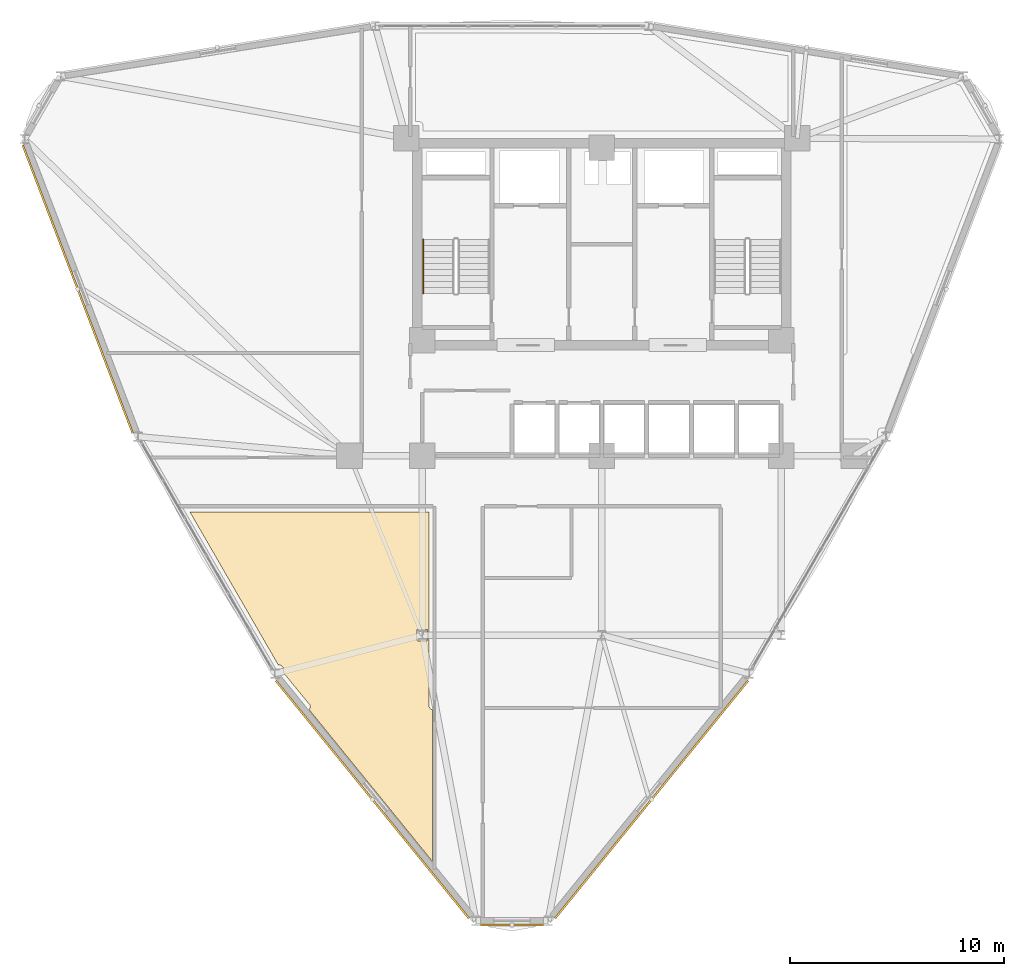
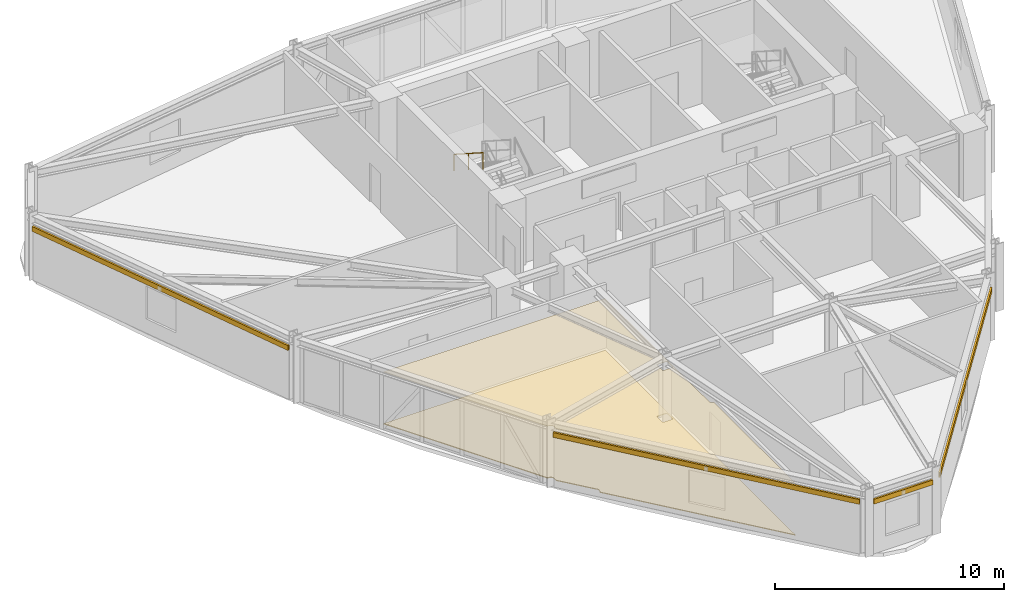
# One storey, part 13 of 15: 4 shading devices, 2 coverings, 1 railing.
"""IFC4 building model written with IfcOpenShell, lengths in metres."""

from ifc_helpers import new_model, si_unit, derived_unit, direction, frame, origin, origin_2d, place, context, subcontext, project, spatial, polyline, hollow_rectangle, circle, outline, extrude, source, transform, mapped, material, layer, layer_set, material_profile, profile_set, type_object, element, save


model = new_model("IFC4")

# Units and contexts
model_context = context("Model", 3, precision=1e-05, world=origin(), true_north=direction((0.0, 1.0)))
body_context = subcontext(model_context, "Body", "Model", "MODEL_VIEW")
ifc_project = project(units=[si_unit("LENGTHUNIT", "METRE"), si_unit("AREAUNIT", "SQUARE_METRE"), si_unit("VOLUMEUNIT", "CUBIC_METRE"), si_unit("PLANEANGLEUNIT", "RADIAN"), si_unit("MASSUNIT", "GRAM", prefix="KILO"), derived_unit("THERMALTRANSMITTANCEUNIT", [(si_unit("POWERUNIT", "WATT"), 1), (si_unit("LENGTHUNIT", "METRE"), -2), (si_unit("THERMODYNAMICTEMPERATUREUNIT", "KELVIN"), -1)])], contexts=[model_context])

# Site, building, storey
site_placement = place(None, origin())
site = spatial("IfcSite", under=ifc_project, at=site_placement, CompositionType="ELEMENT")
building_placement = place(site_placement, origin())
building = spatial("IfcBuilding", under=site, at=building_placement, Name="Korsvarv Bourse and Concert Hall", CompositionType="ELEMENT")
storey_placement = place(building_placement, frame((0.0, 0.0, 161.39990234375)))
storey = spatial("IfcBuildingStorey", under=building, at=storey_placement, Name="L41", CompositionType="ELEMENT", Elevation=161.39990234375)

# Coverings
ifc_material_1 = material(Name="Perforated mineral-wool and birch acoustic baffle ceiling", Category="wood")
ifc_layer_1 = layer(ifc_material_1, 0.02490234375)
ifc_layer_set_1 = layer_set([ifc_layer_1], Name="Perforated mineral-wool and birch acoustic baffle ceiling")
covering_type_1 = type_object("IfcCoveringType", Name="COV-CEIL-1", PredefinedType="CEILING", material=ifc_layer_set_1)
covering_1_placement = place(storey_placement, frame((0.0, 0.0, 2.780029296875)))
element("IfcCovering", 1, at=covering_1_placement, inside=storey, type_object=covering_type_1, Name="L41 acoustic baffle ceiling 1", PredefinedType="CEILING", context=body_context, shape_type="SweptSolid", body=[
    extrude(outline(polyline([(21.100830078125, 22.254150390625), (21.100830078125, 22.419921875), (21.09716796875, 22.455810546875), (21.08642578125, 22.490234375), (21.069091796875, 22.52197265625), (21.045654296875, 22.549560546875), (21.01708984375, 22.572021484375), (20.98486328125, 22.588134765625), (20.94970703125, 22.597412109375), (20.86572265625, 22.603515625), (16.728271484375, 29.77001953125), (27.919921875, 29.77001953125), (27.919921875, 20.68994140625), (27.923583984375, 20.65380859375), (27.9345703125, 20.618896484375), (27.952392578125, 20.587158203125), (27.97607421875, 20.5595703125), (28.0048828125, 20.537353515625), (28.03759765625, 20.521240234375), (28.07275390625, 20.51220703125), (28.080078125, 13.411865234375), (22.29833984375, 20.526611328125), (22.314208984375, 20.541748046875), (22.3349609375, 20.569580078125), (22.35009765625, 20.601318359375), (22.35888671875, 20.635009765625), (22.361083984375, 20.669921875), (22.3564453125, 20.70458984375), (22.344970703125, 20.737548828125), (22.327392578125, 20.767822265625), (22.304443359375, 20.794189453125), (22.27685546875, 20.815673828125), (21.100830078125, 22.254150390625)]), holes=[polyline([(27.38427734375, 23.7333984375), (27.805908203125, 23.732421875), (27.82958984375, 23.73828125), (27.84765625, 23.754638671875), (27.855712890625, 23.777587890625), (27.85595703125, 24.217529296875), (27.85009765625, 24.2412109375), (27.833740234375, 24.259033203125), (27.810791015625, 24.267333984375), (27.39404296875, 24.267578125), (27.370361328125, 24.26171875), (27.352294921875, 24.245361328125), (27.34423828125, 24.222412109375), (27.343994140625, 23.782470703125), (27.349853515625, 23.7587890625), (27.38427734375, 23.7333984375)])]), origin(), (0.0, 0.0, 1.0), 0.025146484375),
])
ifc_material_2 = material(Name="Calcium-sulphate raised access trading floor with Nordic oak top", Category="wood")
ifc_layer_2 = layer(ifc_material_2, 0.0400390625)
ifc_layer_set_2 = layer_set([ifc_layer_2], Name="Calcium-sulphate raised access trading floor with Nordic oak top")
covering_type_2 = type_object("IfcCoveringType", Name="COV-FLOR-1", PredefinedType="FLOORING", material=ifc_layer_set_2)
covering_2_placement = place(storey_placement, origin())
element("IfcCovering", 2, at=covering_2_placement, inside=storey, type_object=covering_type_2, Name="L41 raised access oak floor finish 1", PredefinedType="FLOORING", context=body_context, shape_type="SweptSolid", body=[
    extrude(outline(polyline([(21.100830078125, 22.254150390625), (21.100830078125, 22.419921875), (21.09716796875, 22.455810546875), (21.08642578125, 22.490234375), (21.069091796875, 22.52197265625), (21.045654296875, 22.549560546875), (21.01708984375, 22.572021484375), (20.98486328125, 22.588134765625), (20.94970703125, 22.597412109375), (20.86572265625, 22.603515625), (16.728271484375, 29.77001953125), (27.919921875, 29.77001953125), (27.919921875, 20.68994140625), (27.923583984375, 20.65380859375), (27.9345703125, 20.618896484375), (27.952392578125, 20.587158203125), (27.97607421875, 20.5595703125), (28.0048828125, 20.537353515625), (28.03759765625, 20.521240234375), (28.07275390625, 20.51220703125), (28.080078125, 13.411865234375), (22.29833984375, 20.526611328125), (22.314208984375, 20.541748046875), (22.3349609375, 20.569580078125), (22.35009765625, 20.601318359375), (22.35888671875, 20.635009765625), (22.361083984375, 20.669921875), (22.3564453125, 20.70458984375), (22.344970703125, 20.737548828125), (22.327392578125, 20.767822265625), (22.304443359375, 20.794189453125), (22.27685546875, 20.815673828125), (21.100830078125, 22.254150390625)]), holes=[polyline([(27.38427734375, 23.7333984375), (27.805908203125, 23.732421875), (27.82958984375, 23.73828125), (27.84765625, 23.754638671875), (27.855712890625, 23.777587890625), (27.85595703125, 24.217529296875), (27.85009765625, 24.2412109375), (27.833740234375, 24.259033203125), (27.810791015625, 24.267333984375), (27.39404296875, 24.267578125), (27.370361328125, 24.26171875), (27.352294921875, 24.245361328125), (27.34423828125, 24.222412109375), (27.343994140625, 23.782470703125), (27.349853515625, 23.7587890625), (27.38427734375, 23.7333984375)])]), origin(), (0.0, 0.0, 1.0), 0.0400390625),
])

# Railing
ifc_material_3 = material(Name="Brushed stainless Steel S355 tubular handrail", Category="steel")
railing_type = type_object("IfcRailingType", Name="RL-ST-HND", PredefinedType="HANDRAIL", material=ifc_material_3)
railing_placement = place(storey_placement, frame((27.64990234375, 42.52001953125, 1.97998046875)))
element("IfcRailing", 3, at=railing_placement, inside=storey, type_object=railing_type, Name="L41 ST-T1 stair handrail 2", PredefinedType="HANDRAIL", context=body_context, shape_type="SweptSolid", body=[
    extrude(circle(Radius=0.02392578125, at=origin_2d()), frame((0.0, 0.0, 0.8759765625), z_axis=(0.0, -0.841162588446, 0.540782303519), x_axis=(1.0, 0.0, 0.0)), (0.0, 0.0, 1.0), 2.995849609375),
    extrude(circle(Radius=0.02099609375, at=origin_2d()), origin(), (0.0, 0.0, 1.0), 0.851806640625),
    extrude(circle(Radius=0.02099609375, at=origin_2d()), frame((0.0, -1.260009765625, 0.81005859375)), (0.0, 0.0, 1.0), 0.851806640625),
    extrude(circle(Radius=0.02099609375, at=origin_2d()), frame((0.0, -2.52001953125, 1.6201171875)), (0.0, 0.0, 1.0), 0.851806640625),
])

# Shading devices
ifc_material_4 = material(Name="Glazed extruded architectural terracotta", Category="ceramic")
ifc_material_profile = material_profile(ifc_material_4, hollow_rectangle(XDim=0.090087890625, YDim=0.260009765625, WallThickness=0.011962890625, at=origin_2d()), Name="TC-BAG 90x260")
ifc_profile_set = profile_set([ifc_material_profile], Name="Glazed extruded architectural terracotta")
shading_device_type = type_object("IfcShadingDeviceType", Name="SHD-BAG-1", PredefinedType="USERDEFINED", material=ifc_profile_set)
shared_shape_1 = source(origin(), body_context, "Body", "SweptSolid", [
    extrude(hollow_rectangle(XDim=0.090087890625, YDim=0.260009765625, WallThickness=0.011962890625, at=origin_2d()), origin(), (0.0, 0.0, 1.0), 14.42822265625),
])
shading_device_1_placement = place(storey_placement, frame((8.9072265625, 46.928955078125, 2.7900390625), z_axis=(0.356763590825, -0.934194701474, 0.0), x_axis=(0.934194701474, 0.356763590825, 0.0)))
element("IfcShadingDevice", 4, at=shading_device_1_placement, inside=storey, type_object=shading_device_type, Name="L41 terracotta baguette sunshade EW-L41-B06", ObjectType="BAGUETTE", PredefinedType="USERDEFINED", context=body_context, shape_type="MappedRepresentation", body=[
    mapped(shared_shape_1, transform((0.0, 0.0, 0.0), scale=1.0)),
])
shared_shape_2 = source(origin(), body_context, "Body", "SweptSolid", [
    extrude(hollow_rectangle(XDim=0.090087890625, YDim=0.260009765625, WallThickness=0.011962890625, at=origin_2d()), origin(), (0.0, 0.0, 1.0), 14.331298828125),
])
for number, where, z_axis, x_axis, name in (
    (5, (20.749755859375, 21.869384765625, 2.840087890625), (0.630641365747, -0.776074395795, 0.0), (0.776074395795, 0.630641365747, 0.0), "L41 terracotta baguette sunshade EW-L41-B08"),
    (6, (33.812255859375, 10.747314453125, 2.840087890625), (0.630641365747, 0.776074395795, 0.0), (-0.776074395795, 0.630641365747, 0.0), "L41 terracotta baguette sunshade EW-L41-B10"),
):
    element("IfcShadingDevice", number, at=place(storey_placement, frame(where, z_axis=z_axis, x_axis=x_axis)), inside=storey, type_object=shading_device_type, Name=name, ObjectType="BAGUETTE", PredefinedType="USERDEFINED", context=body_context, shape_type="MappedRepresentation", body=[
        mapped(shared_shape_2, transform((0.0, 0.0, 0.0), scale=1.0)),
    ])
shared_shape_3 = source(origin(), body_context, "Body", "SweptSolid", [
    extrude(hollow_rectangle(XDim=0.090087890625, YDim=0.260009765625, WallThickness=0.011962890625, at=origin_2d()), origin(), (0.0, 0.0, 1.0), 2.969482421875),
])
shading_device_2_placement = place(storey_placement, frame((30.315185546875, 10.4501953125, 2.840087890625), z_axis=(1.0, 0.0, 0.0), x_axis=(0.0, 1.0, 0.0)))
element("IfcShadingDevice", 7, at=shading_device_2_placement, inside=storey, type_object=shading_device_type, Name="L41 terracotta baguette sunshade EW-L41-B09", ObjectType="BAGUETTE", PredefinedType="USERDEFINED", context=body_context, shape_type="MappedRepresentation", body=[
    mapped(shared_shape_3, transform((0.0, 0.0, 0.0), scale=1.0)),
])

save(model, "model.ifc")
